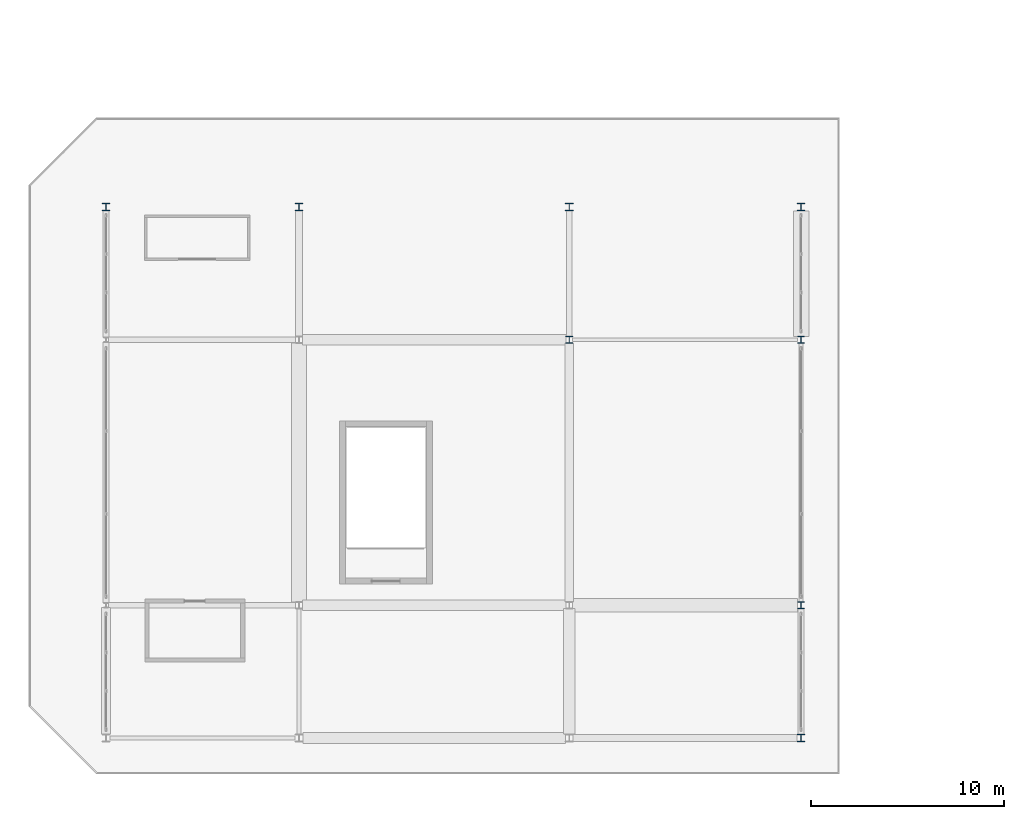
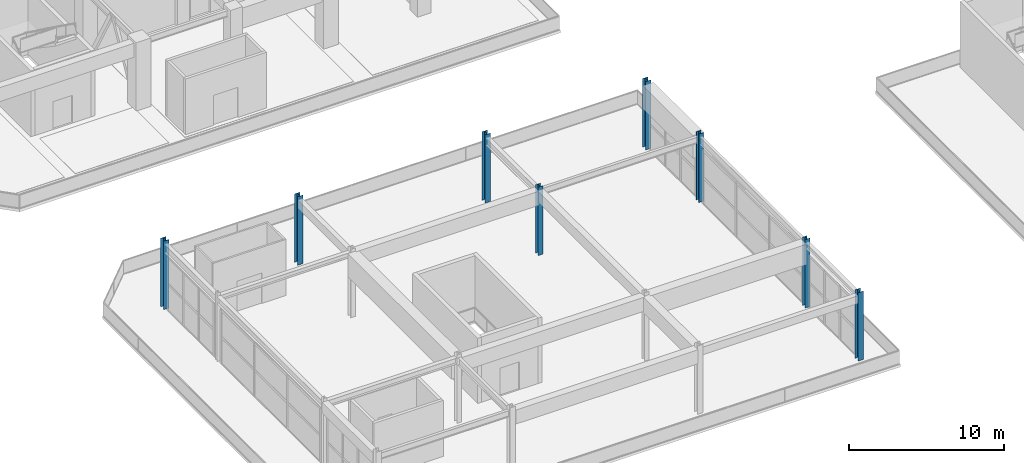
# One storey, part 2 of 117: 8 columns.
"""IFC4 building model written with IfcOpenShell, lengths in metres."""

from ifc_helpers import new_model, si_unit, direction, frame, origin, origin_2d, place, context, subcontext, project, spatial, i_section, extrude, material, material_profile, profile_set, type_object, element, save


model = new_model("IFC4")

# Units and contexts
model_context = context("Model", 3, precision=1e-05, world=origin(), true_north=direction((0.0, 1.0)))
body_context = subcontext(model_context, "Body", "Model", "MODEL_VIEW")
ifc_project = project(units=[si_unit("LENGTHUNIT", "METRE"), si_unit("AREAUNIT", "SQUARE_METRE"), si_unit("VOLUMEUNIT", "CUBIC_METRE"), si_unit("PLANEANGLEUNIT", "RADIAN"), si_unit("MASSUNIT", "GRAM", prefix="KILO")], contexts=[model_context])

# Site, building, storey
site_placement = place(None, origin())
site = spatial("IfcSite", under=ifc_project, at=site_placement, CompositionType="ELEMENT")
building_placement = place(site_placement, origin())
building = spatial("IfcBuilding", under=site, at=building_placement, Name="Linyun Crest Stadium", CompositionType="ELEMENT")
storey_placement = place(building_placement, frame((0.0, 0.0, 6.0)))
storey = spatial("IfcBuildingStorey", under=building, at=storey_placement, Name="L02", CompositionType="ELEMENT", Elevation=6.0)

# Columns
ifc_material_1 = material(Name="Steel Q355C", Category="steel")
ifc_material_profile_1 = material_profile(ifc_material_1, i_section(OverallWidth=0.35009765625, OverallDepth=0.35009765625, WebThickness=0.011962890625, FlangeThickness=0.01904296875, at=origin_2d()), Name="HW 350x350")
ifc_profile_set_1 = profile_set([ifc_material_profile_1], Name="Steel Q355C")
column_type_1 = type_object("IfcColumnType", Name="SC01", PredefinedType="COLUMN", material=ifc_profile_set_1)
for number, where, z_axis, x_axis, name in (
    (1, (-70.0, -73.5, 0.0), (0.0, 0.0, 1.0), (1.0, 0.0, 0.0), "Column SC01 L02 882"),
    (2, (-58.0, -87.25, 0.0), (0.0, 0.0, 1.0), (1.0, 0.0, 0.0), "Column SC01 L02 891"),
    (3, (-58.0, -73.5, 0.0), (0.0, 0.0, 1.0), (1.0, 0.0, 0.0), "Column SC01 L02 894"),
):
    element("IfcColumn", number, at=place(storey_placement, frame(where, z_axis=z_axis, x_axis=x_axis)), inside=storey, type_object=column_type_1, Name=name, PredefinedType="COLUMN", context=body_context, shape_type="SweptSolid", body=[
        extrude(i_section(OverallWidth=0.35009765625, OverallDepth=0.35009765625, WebThickness=0.011962890625, FlangeThickness=0.01904296875, at=origin_2d()), origin(), (0.0, 0.0, 1.0), 5.39990234375),
    ])
ifc_material_2 = material(Name="Steel Q355C", Category="steel")
ifc_material_profile_2 = material_profile(ifc_material_2, i_section(OverallWidth=0.39990234375, OverallDepth=0.39990234375, WebThickness=0.012939453125, FlangeThickness=0.02099609375, at=origin_2d()), Name="HW 400x400")
ifc_profile_set_2 = profile_set([ifc_material_profile_2], Name="Steel Q355C")
column_type_2 = type_object("IfcColumnType", Name="SC02", PredefinedType="COLUMN", material=ifc_profile_set_2)
for number, where, z_axis, x_axis, name in (
    (4, (-94.0, -66.625, 0.0), (0.0, 0.0, 1.0), (1.0, 0.0, 0.0), "Column SC02 L02 861"),
    (5, (-84.0, -66.625, 0.0), (0.0, 0.0, 1.0), (1.0, 0.0, 0.0), "Column SC02 L02 873"),
    (6, (-70.0, -66.625, 0.0), (0.0, 0.0, 1.0), (1.0, 0.0, 0.0), "Column SC02 L02 885"),
    (7, (-58.0, -94.125, 0.0), (0.0, 0.0, 1.0), (1.0, 0.0, 0.0), "Column SC02 L02 888"),
    (8, (-58.0, -66.625, 0.0), (0.0, 0.0, 1.0), (1.0, 0.0, 0.0), "Column SC02 L02 897"),
):
    element("IfcColumn", number, at=place(storey_placement, frame(where, z_axis=z_axis, x_axis=x_axis)), inside=storey, type_object=column_type_2, Name=name, PredefinedType="COLUMN", context=body_context, shape_type="SweptSolid", body=[
        extrude(i_section(OverallWidth=0.39990234375, OverallDepth=0.39990234375, WebThickness=0.012939453125, FlangeThickness=0.02099609375, at=origin_2d()), origin(), (0.0, 0.0, 1.0), 5.39990234375),
    ])

save(model, "model.ifc")
